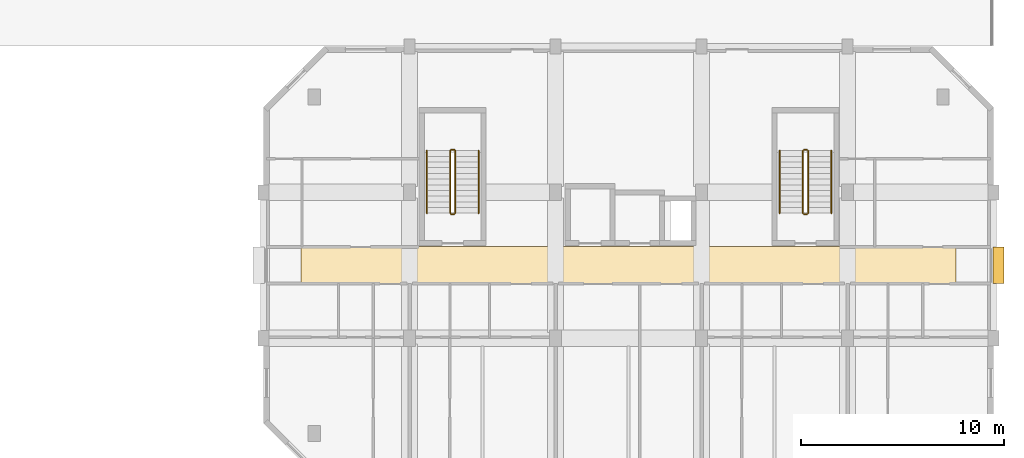
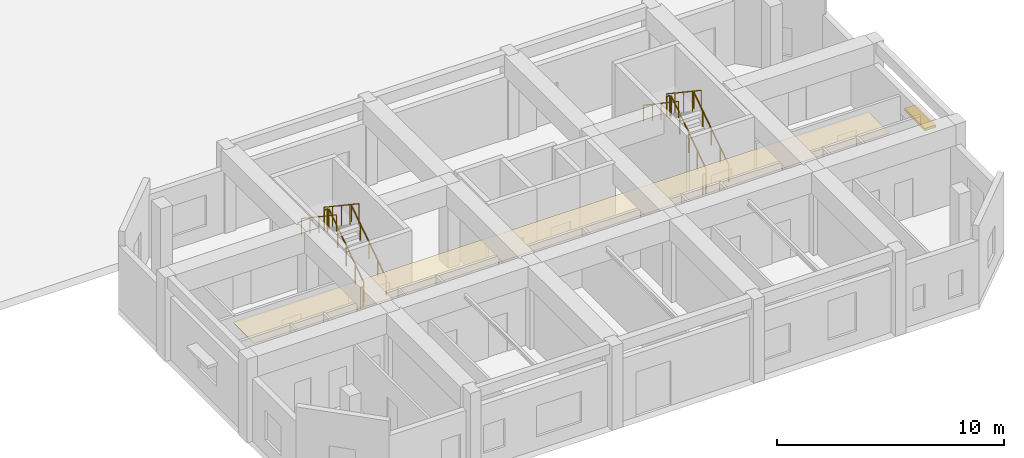
# One storey, part 82 of 85: 12 railings, 1 covering, 1 shading device.
"""IFC4 building model written with IfcOpenShell, lengths in metres."""

from ifc_helpers import new_model, si_unit, direction, frame, origin, origin_2d, place, context, subcontext, project, spatial, polyline, rectangle, circle, outline, extrude, material, layer, layer_set, type_object, element, save


model = new_model("IFC4")

# Units and contexts
model_context = context("Model", 3, precision=1e-05, world=origin(), true_north=direction((0.0, 1.0)))
body_context = subcontext(model_context, "Body", "Model", "MODEL_VIEW")
ifc_project = project(units=[si_unit("LENGTHUNIT", "METRE"), si_unit("AREAUNIT", "SQUARE_METRE"), si_unit("VOLUMEUNIT", "CUBIC_METRE"), si_unit("PLANEANGLEUNIT", "RADIAN"), si_unit("MASSUNIT", "GRAM", prefix="KILO")], contexts=[model_context])

# Site, building, storey
site_placement = place(None, origin())
site = spatial("IfcSite", under=ifc_project, at=site_placement, CompositionType="ELEMENT")
building_placement = place(site_placement, origin())
building = spatial("IfcBuilding", under=site, at=building_placement, Name="Ochrevale Crest", CompositionType="ELEMENT")
storey_placement = place(building_placement, origin())
storey = spatial("IfcBuildingStorey", under=building, at=storey_placement, Name="L00", CompositionType="ELEMENT", Elevation=0.0)

# Covering
ifc_material_1 = material(Name="Gypsum plasterboard", Category="gypsum")
ifc_layer = layer(ifc_material_1, 0.02490234375)
ifc_layer_set = layer_set([ifc_layer], Name="Gypsum plasterboard")
covering_type = type_object("IfcCoveringType", Name="COV-CEIL-GYP", PredefinedType="CEILING", material=ifc_layer_set)
covering_placement = place(storey_placement, frame((0.0, 0.0, 2.75)))
element("IfcCovering", 1, at=covering_placement, inside=storey, type_object=covering_type, Name="Block C L00 acoustic corridor ceiling", PredefinedType="CEILING", context=body_context, shape_type="SweptSolid", body=[
    extrude(outline(polyline([(131.449951171875, 24.260009765625), (163.75, 24.260009765625), (163.75, 26.139892578125), (131.449951171875, 26.139892578125), (131.449951171875, 24.260009765625)])), origin(), (0.0, 0.0, 1.0), 0.02490234375),
])

# Railings
ifc_material_2 = material(Name="Galvanised steel", Category="steel")
railing_type_1 = type_object("IfcRailingType", Name="RL-ST-GUARD", PredefinedType="BALUSTRADE", material=ifc_material_2)
railing_1_placement = place(storey_placement, frame((139.050048828125, 27.77490234375, 0.1875)))
element("IfcRailing", 2, at=railing_1_placement, inside=storey, type_object=railing_type_1, Name="L00 ST-C1 stair guard 1", PredefinedType="BALUSTRADE", context=body_context, shape_type="SweptSolid", body=[
    extrude(circle(Radius=0.02392578125, at=origin_2d()), frame((0.0, 0.0, 1.076171875), z_axis=(0.0, 0.830913701846, 0.55640131208), x_axis=(-1.0, 0.0, 0.0)), (0.0, 0.0, 1.0), 3.706787109375),
    extrude(circle(Radius=0.02099609375, at=origin_2d()), origin(), (0.0, 0.0, 1.0), 1.052001953125),
    extrude(circle(Radius=0.02099609375, at=origin_2d()), frame((0.0, 0.77001953125, 0.515625)), (0.0, 0.0, 1.0), 1.052001953125),
    extrude(circle(Radius=0.02099609375, at=origin_2d()), frame((0.0, 1.5400390625, 1.03125)), (0.0, 0.0, 1.0), 1.052001953125),
    extrude(circle(Radius=0.02099609375, at=origin_2d()), frame((0.0, 2.31005859375, 1.546875)), (0.0, 0.0, 1.0), 1.052001953125),
    extrude(circle(Radius=0.02099609375, at=origin_2d()), frame((0.0, 3.080078125, 2.0625)), (0.0, 0.0, 1.0), 1.052001953125),
])
railing_2_placement = place(storey_placement, frame((139.0, 30.905029296875, 2.25)))
element("IfcRailing", 3, at=railing_2_placement, inside=storey, type_object=railing_type_1, Name="L00 ST-C1 stair guard 2", PredefinedType="BALUSTRADE", context=body_context, shape_type="SweptSolid", body=[
    extrude(circle(Radius=0.02392578125, at=origin_2d()), frame((0.0, 0.0, 1.076171875), z_axis=(-1.0, 0.0, 0.0), x_axis=(0.0, -1.0, 0.0)), (0.0, 0.0, 1.0), 0.14990234375),
    extrude(circle(Radius=0.02099609375, at=origin_2d()), origin(), (0.0, 0.0, 1.0), 1.052001953125),
    extrude(circle(Radius=0.02099609375, at=origin_2d()), frame((-0.14990234375, 0.0, 0.0)), (0.0, 0.0, 1.0), 1.052001953125),
])
railing_3_placement = place(storey_placement, frame((138.800048828125, 30.85498046875, 2.4375)))
element("IfcRailing", 4, at=railing_3_placement, inside=storey, type_object=railing_type_1, Name="L00 ST-C1 stair guard 3", PredefinedType="BALUSTRADE", context=body_context, shape_type="SweptSolid", body=[
    extrude(circle(Radius=0.02392578125, at=origin_2d()), frame((0.0, 0.0, 1.076171875), z_axis=(0.0, -0.830913701846, 0.55640131208), x_axis=(1.0, 0.0, 0.0)), (0.0, 0.0, 1.0), 3.706787109375),
    extrude(circle(Radius=0.02099609375, at=origin_2d()), origin(), (0.0, 0.0, 1.0), 1.052001953125),
    extrude(circle(Radius=0.02099609375, at=origin_2d()), frame((0.0, -0.77001953125, 0.515625)), (0.0, 0.0, 1.0), 1.052001953125),
    extrude(circle(Radius=0.02099609375, at=origin_2d()), frame((0.0, -1.5400390625, 1.03125)), (0.0, 0.0, 1.0), 1.052001953125),
    extrude(circle(Radius=0.02099609375, at=origin_2d()), frame((0.0, -2.31005859375, 1.546875)), (0.0, 0.0, 1.0), 1.052001953125),
    extrude(circle(Radius=0.02099609375, at=origin_2d()), frame((0.0, -3.080078125, 2.0625)), (0.0, 0.0, 1.0), 1.052001953125),
])
railing_4_placement = place(storey_placement, frame((139.0, 27.72509765625, 0.0)))
element("IfcRailing", 5, at=railing_4_placement, inside=storey, type_object=railing_type_1, Name="L00 ST-C1 stair guard 4", PredefinedType="BALUSTRADE", context=body_context, shape_type="SweptSolid", body=[
    extrude(circle(Radius=0.02392578125, at=origin_2d()), frame((0.0, 0.0, 1.076171875), z_axis=(-1.0, 0.0, 0.0), x_axis=(0.0, -1.0, 0.0)), (0.0, 0.0, 1.0), 0.14990234375),
    extrude(circle(Radius=0.02099609375, at=origin_2d()), origin(), (0.0, 0.0, 1.0), 1.052001953125),
    extrude(circle(Radius=0.02099609375, at=origin_2d()), frame((-0.14990234375, 0.0, 0.0)), (0.0, 0.0, 1.0), 1.052001953125),
])
railing_5_placement = place(storey_placement, frame((156.449951171875, 27.77490234375, 0.1875)))
element("IfcRailing", 6, at=railing_5_placement, inside=storey, type_object=railing_type_1, Name="L00 ST-C2 stair guard 1", PredefinedType="BALUSTRADE", context=body_context, shape_type="SweptSolid", body=[
    extrude(circle(Radius=0.02392578125, at=origin_2d()), frame((0.0, 0.0, 1.076171875), z_axis=(0.0, 0.830913701846, 0.55640131208), x_axis=(-1.0, 0.0, 0.0)), (0.0, 0.0, 1.0), 3.706787109375),
    extrude(circle(Radius=0.02099609375, at=origin_2d()), origin(), (0.0, 0.0, 1.0), 1.052001953125),
    extrude(circle(Radius=0.02099609375, at=origin_2d()), frame((0.0, 0.77001953125, 0.515625)), (0.0, 0.0, 1.0), 1.052001953125),
    extrude(circle(Radius=0.02099609375, at=origin_2d()), frame((0.0, 1.5400390625, 1.03125)), (0.0, 0.0, 1.0), 1.052001953125),
    extrude(circle(Radius=0.02099609375, at=origin_2d()), frame((0.0, 2.31005859375, 1.546875)), (0.0, 0.0, 1.0), 1.052001953125),
    extrude(circle(Radius=0.02099609375, at=origin_2d()), frame((0.0, 3.080078125, 2.0625)), (0.0, 0.0, 1.0), 1.052001953125),
])
railing_6_placement = place(storey_placement, frame((156.39990234375, 30.905029296875, 2.25)))
element("IfcRailing", 7, at=railing_6_placement, inside=storey, type_object=railing_type_1, Name="L00 ST-C2 stair guard 2", PredefinedType="BALUSTRADE", context=body_context, shape_type="SweptSolid", body=[
    extrude(circle(Radius=0.02392578125, at=origin_2d()), frame((0.0, 0.0, 1.076171875), z_axis=(-1.0, 0.0, 0.0), x_axis=(0.0, -1.0, 0.0)), (0.0, 0.0, 1.0), 0.14990234375),
    extrude(circle(Radius=0.02099609375, at=origin_2d()), origin(), (0.0, 0.0, 1.0), 1.052001953125),
    extrude(circle(Radius=0.02099609375, at=origin_2d()), frame((-0.14990234375, 0.0, 0.0)), (0.0, 0.0, 1.0), 1.052001953125),
])
railing_7_placement = place(storey_placement, frame((156.199951171875, 30.85498046875, 2.4375)))
element("IfcRailing", 8, at=railing_7_placement, inside=storey, type_object=railing_type_1, Name="L00 ST-C2 stair guard 3", PredefinedType="BALUSTRADE", context=body_context, shape_type="SweptSolid", body=[
    extrude(circle(Radius=0.02392578125, at=origin_2d()), frame((0.0, 0.0, 1.076171875), z_axis=(0.0, -0.830913701846, 0.55640131208), x_axis=(1.0, 0.0, 0.0)), (0.0, 0.0, 1.0), 3.706787109375),
    extrude(circle(Radius=0.02099609375, at=origin_2d()), origin(), (0.0, 0.0, 1.0), 1.052001953125),
    extrude(circle(Radius=0.02099609375, at=origin_2d()), frame((0.0, -0.77001953125, 0.515625)), (0.0, 0.0, 1.0), 1.052001953125),
    extrude(circle(Radius=0.02099609375, at=origin_2d()), frame((0.0, -1.5400390625, 1.03125)), (0.0, 0.0, 1.0), 1.052001953125),
    extrude(circle(Radius=0.02099609375, at=origin_2d()), frame((0.0, -2.31005859375, 1.546875)), (0.0, 0.0, 1.0), 1.052001953125),
    extrude(circle(Radius=0.02099609375, at=origin_2d()), frame((0.0, -3.080078125, 2.0625)), (0.0, 0.0, 1.0), 1.052001953125),
])
railing_8_placement = place(storey_placement, frame((156.39990234375, 27.72509765625, 0.0)))
element("IfcRailing", 9, at=railing_8_placement, inside=storey, type_object=railing_type_1, Name="L00 ST-C2 stair guard 4", PredefinedType="BALUSTRADE", context=body_context, shape_type="SweptSolid", body=[
    extrude(circle(Radius=0.02392578125, at=origin_2d()), frame((0.0, 0.0, 1.076171875), z_axis=(-1.0, 0.0, 0.0), x_axis=(0.0, -1.0, 0.0)), (0.0, 0.0, 1.0), 0.14990234375),
    extrude(circle(Radius=0.02099609375, at=origin_2d()), origin(), (0.0, 0.0, 1.0), 1.052001953125),
    extrude(circle(Radius=0.02099609375, at=origin_2d()), frame((-0.14990234375, 0.0, 0.0)), (0.0, 0.0, 1.0), 1.052001953125),
])
ifc_material_3 = material(Name="Stainless steel", Category="steel")
railing_type_2 = type_object("IfcRailingType", Name="RL-ST-HRAIL", PredefinedType="HANDRAIL", material=ifc_material_3)
railing_9_placement = place(storey_placement, frame((140.199951171875, 27.77490234375, 0.1875)))
element("IfcRailing", 10, at=railing_9_placement, inside=storey, type_object=railing_type_2, Name="L00 ST-C1 stair handrail 1", PredefinedType="HANDRAIL", context=body_context, shape_type="SweptSolid", body=[
    extrude(circle(Radius=0.02392578125, at=origin_2d()), frame((0.0, 0.0, 0.8759765625), z_axis=(0.0, 0.830913701846, 0.55640131208), x_axis=(-1.0, 0.0, 0.0)), (0.0, 0.0, 1.0), 3.706787109375),
    extrude(circle(Radius=0.02099609375, at=origin_2d()), origin(), (0.0, 0.0, 1.0), 0.851806640625),
    extrude(circle(Radius=0.02099609375, at=origin_2d()), frame((0.0, 0.77001953125, 0.515625)), (0.0, 0.0, 1.0), 0.851806640625),
    extrude(circle(Radius=0.02099609375, at=origin_2d()), frame((0.0, 1.5400390625, 1.03125)), (0.0, 0.0, 1.0), 0.851806640625),
    extrude(circle(Radius=0.02099609375, at=origin_2d()), frame((0.0, 2.31005859375, 1.546875)), (0.0, 0.0, 1.0), 0.851806640625),
    extrude(circle(Radius=0.02099609375, at=origin_2d()), frame((0.0, 3.080078125, 2.0625)), (0.0, 0.0, 1.0), 0.851806640625),
])
railing_10_placement = place(storey_placement, frame((137.64990234375, 30.85498046875, 2.4375)))
element("IfcRailing", 11, at=railing_10_placement, inside=storey, type_object=railing_type_2, Name="L00 ST-C1 stair handrail 2", PredefinedType="HANDRAIL", context=body_context, shape_type="SweptSolid", body=[
    extrude(circle(Radius=0.02392578125, at=origin_2d()), frame((0.0, 0.0, 0.8759765625), z_axis=(0.0, -0.830913701846, 0.55640131208), x_axis=(1.0, 0.0, 0.0)), (0.0, 0.0, 1.0), 3.706787109375),
    extrude(circle(Radius=0.02099609375, at=origin_2d()), origin(), (0.0, 0.0, 1.0), 0.851806640625),
    extrude(circle(Radius=0.02099609375, at=origin_2d()), frame((0.0, -0.77001953125, 0.515625)), (0.0, 0.0, 1.0), 0.851806640625),
    extrude(circle(Radius=0.02099609375, at=origin_2d()), frame((0.0, -1.5400390625, 1.03125)), (0.0, 0.0, 1.0), 0.851806640625),
    extrude(circle(Radius=0.02099609375, at=origin_2d()), frame((0.0, -2.31005859375, 1.546875)), (0.0, 0.0, 1.0), 0.851806640625),
    extrude(circle(Radius=0.02099609375, at=origin_2d()), frame((0.0, -3.080078125, 2.0625)), (0.0, 0.0, 1.0), 0.851806640625),
])
railing_11_placement = place(storey_placement, frame((157.60009765625, 27.77490234375, 0.1875)))
element("IfcRailing", 12, at=railing_11_placement, inside=storey, type_object=railing_type_2, Name="L00 ST-C2 stair handrail 1", PredefinedType="HANDRAIL", context=body_context, shape_type="SweptSolid", body=[
    extrude(circle(Radius=0.02392578125, at=origin_2d()), frame((0.0, 0.0, 0.8759765625), z_axis=(0.0, 0.830913701846, 0.55640131208), x_axis=(-1.0, 0.0, 0.0)), (0.0, 0.0, 1.0), 3.706787109375),
    extrude(circle(Radius=0.02099609375, at=origin_2d()), origin(), (0.0, 0.0, 1.0), 0.851806640625),
    extrude(circle(Radius=0.02099609375, at=origin_2d()), frame((0.0, 0.77001953125, 0.515625)), (0.0, 0.0, 1.0), 0.851806640625),
    extrude(circle(Radius=0.02099609375, at=origin_2d()), frame((0.0, 1.5400390625, 1.03125)), (0.0, 0.0, 1.0), 0.851806640625),
    extrude(circle(Radius=0.02099609375, at=origin_2d()), frame((0.0, 2.31005859375, 1.546875)), (0.0, 0.0, 1.0), 0.851806640625),
    extrude(circle(Radius=0.02099609375, at=origin_2d()), frame((0.0, 3.080078125, 2.0625)), (0.0, 0.0, 1.0), 0.851806640625),
])
railing_12_placement = place(storey_placement, frame((155.050048828125, 30.85498046875, 2.4375)))
element("IfcRailing", 13, at=railing_12_placement, inside=storey, type_object=railing_type_2, Name="L00 ST-C2 stair handrail 2", PredefinedType="HANDRAIL", context=body_context, shape_type="SweptSolid", body=[
    extrude(circle(Radius=0.02392578125, at=origin_2d()), frame((0.0, 0.0, 0.8759765625), z_axis=(0.0, -0.830913701846, 0.55640131208), x_axis=(1.0, 0.0, 0.0)), (0.0, 0.0, 1.0), 3.706787109375),
    extrude(circle(Radius=0.02099609375, at=origin_2d()), origin(), (0.0, 0.0, 1.0), 0.851806640625),
    extrude(circle(Radius=0.02099609375, at=origin_2d()), frame((0.0, -0.77001953125, 0.515625)), (0.0, 0.0, 1.0), 0.851806640625),
    extrude(circle(Radius=0.02099609375, at=origin_2d()), frame((0.0, -1.5400390625, 1.03125)), (0.0, 0.0, 1.0), 0.851806640625),
    extrude(circle(Radius=0.02099609375, at=origin_2d()), frame((0.0, -2.31005859375, 1.546875)), (0.0, 0.0, 1.0), 0.851806640625),
    extrude(circle(Radius=0.02099609375, at=origin_2d()), frame((0.0, -3.080078125, 2.0625)), (0.0, 0.0, 1.0), 0.851806640625),
])

# Shading device
ifc_material_4 = material(Name="Anodised aluminium 6063-T5", Category="aluminium")
shading_device_type = type_object("IfcShadingDeviceType", Name="SHD-SUNSHADE-OC", PredefinedType="USERDEFINED", material=ifc_material_4)
shading_device_placement = place(storey_placement, frame((165.840087890625, 25.199951171875, 2.2099609375), z_axis=(0.0, 0.0, 1.0), x_axis=(1.0, 0.0, 0.0)))
element("IfcShadingDevice", 14, at=shading_device_placement, inside=storey, type_object=shading_device_type, Name="Block C L00 gable window sunshade E", ObjectType="HORIZONTAL SUNSHADE", PredefinedType="USERDEFINED", context=body_context, shape_type="SweptSolid", body=[
    extrude(rectangle(XDim=0.550048828125, YDim=1.800048828125, at=origin_2d()), origin(), (0.0, 0.0, 1.0), 0.139892578125),
])

save(model, "model.ifc")
